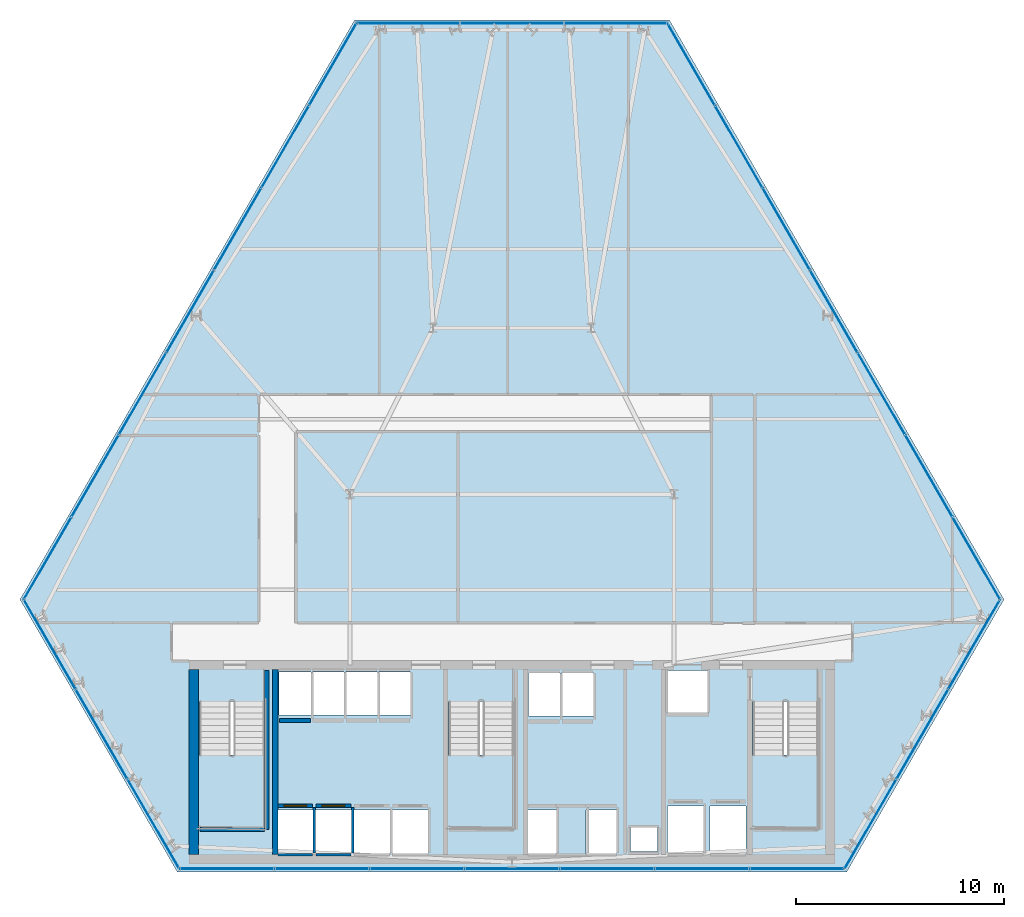
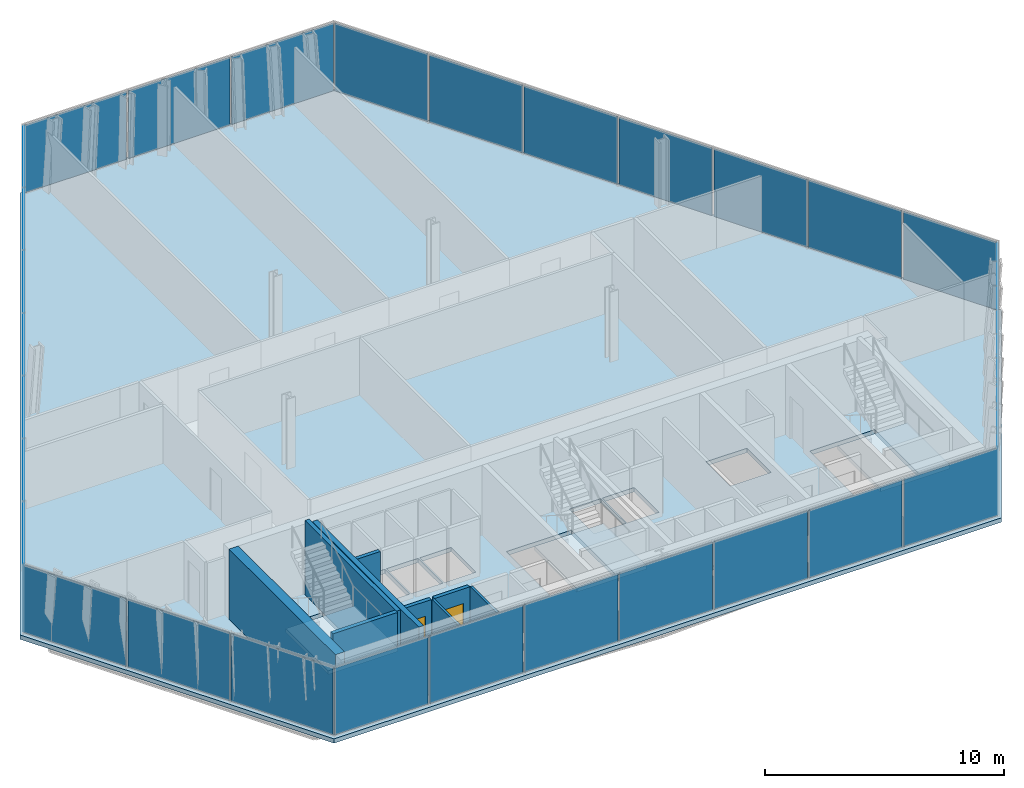
# One storey, part 26 of 32: 30 plates, 11 walls, 4 slabs, 2 doors, 2 openings, 9 elements without a shape of their own.
"""IFC4 building model written with IfcOpenShell, lengths in metres."""

from ifc_helpers import new_model, si_unit, direction, frame, frame_2d, origin, origin_2d, place, context, subcontext, project, spatial, polyline, rectangle, outline, extrude, material, layer, layer_set, type_object, element, fill, aggregate, save


model = new_model("IFC4")

# Units and contexts
model_context = context("Model", 3, precision=1e-05, world=origin(), true_north=direction((0.0, 1.0)))
body_context = subcontext(model_context, "Body", "Model", "MODEL_VIEW")
ifc_project = project(units=[si_unit("LENGTHUNIT", "METRE"), si_unit("AREAUNIT", "SQUARE_METRE"), si_unit("VOLUMEUNIT", "CUBIC_METRE"), si_unit("PLANEANGLEUNIT", "RADIAN"), si_unit("MASSUNIT", "GRAM", prefix="KILO")], contexts=[model_context])

# Site, building, storey
site_placement = place(None, origin())
site = spatial("IfcSite", under=ifc_project, at=site_placement, CompositionType="ELEMENT")
building_placement = place(site_placement, origin())
building = spatial("IfcBuilding", under=site, at=building_placement, Name="Ndaravel Arena Tower", CompositionType="ELEMENT")
storey_placement = place(building_placement, frame((0.0, 0.0, 77.800048828125)))
storey = spatial("IfcBuildingStorey", under=building, at=storey_placement, Name="L17", CompositionType="ELEMENT", Elevation=77.800048828125)

# Curtain wall, plate
ifc_material_1 = material(Name="Aluminium", Category="aluminium")
ifc_layer_1 = layer(ifc_material_1, 0.179931640625)
ifc_layer_set_1 = layer_set([ifc_layer_1], Name="Aluminium")
curtain_wall_type_1 = type_object("IfcCurtainWallType", Name="CW-SYS-01", PredefinedType="NOTDEFINED", material=ifc_layer_set_1)
curtain_wall_1_placement = place(storey_placement, origin())
curtain_wall_1 = element("IfcCurtainWall", 1, at=curtain_wall_1_placement, inside=storey, type_object=curtain_wall_type_1, Name="L17 Faceted Crystal Curtain Wall CW-L17-E02", PredefinedType="NOTDEFINED")
ifc_material_2 = material(Name="Glazing", Category="glass")
ifc_layer_2 = layer(ifc_material_2, 0.035888671875)
ifc_layer_set_2 = layer_set([ifc_layer_2], Name="Glazing")
plate_type_1 = type_object("IfcPlateType", Name="PLT-CW-OPVENT", PredefinedType="CURTAIN_PANEL", material=ifc_layer_set_2)
plate_1_placement = place(storey_placement, frame((61.758056640625, 11.6435546875, 0.06005859375), z_axis=(0.0, 0.0, 1.0), x_axis=(0.5, 0.866025403784, 0.0)))
plate_1 = element("IfcPlate", 2, at=plate_1_placement, type_object=plate_type_1, Name="CW-L17-E02 Operable Vent Sash Panel 02", PredefinedType="CURTAIN_PANEL", context=body_context, shape_type="SweptSolid", body=[
    extrude(rectangle(XDim=4.910888671875, YDim=0.035888671875, at=origin_2d()), origin(), (0.0, 0.0, 1.0), 3.4599609375),
])

curtain_wall_2_placement = place(storey_placement, origin())
curtain_wall_2 = element("IfcCurtainWall", 3, at=curtain_wall_2_placement, inside=storey, type_object=curtain_wall_type_1, Name="L17 Faceted Crystal Curtain Wall CW-L17-E04", PredefinedType="NOTDEFINED")
plate_2_placement = place(storey_placement, frame((42.0, 45.865478515625, 0.06005859375), z_axis=(0.0, 0.0, 1.0), x_axis=(-1.0, 0.0, 0.0)))
plate_2 = element("IfcPlate", 4, at=plate_2_placement, type_object=plate_type_1, Name="CW-L17-E04 Operable Vent Sash Panel 02", PredefinedType="CURTAIN_PANEL", context=body_context, shape_type="SweptSolid", body=[
    extrude(rectangle(XDim=4.9111328125, YDim=0.035888671875, at=origin_2d()), origin(), (0.0, 0.0, 1.0), 3.4599609375),
])

ifc_material_3 = material(Name="Aluminium", Category="aluminium")
ifc_layer_3 = layer(ifc_material_3, 0.179931640625)
ifc_layer_set_3 = layer_set([ifc_layer_3], Name="Aluminium")
curtain_wall_type_2 = type_object("IfcCurtainWallType", Name="CW-SYS-02", PredefinedType="NOTDEFINED", material=ifc_layer_set_3)
curtain_wall_3_placement = place(storey_placement, origin())
curtain_wall_3 = element("IfcCurtainWall", 5, at=curtain_wall_3_placement, inside=storey, type_object=curtain_wall_type_2, Name="L17 Faceted Crystal Curtain Wall CW-L17-E06", PredefinedType="NOTDEFINED")
plate_3_placement = place(storey_placement, frame((22.241943359375, 11.6435546875, 0.06005859375), z_axis=(0.0, 0.0, 1.0), x_axis=(0.5, -0.866025403784, 0.0)))
plate_3 = element("IfcPlate", 6, at=plate_3_placement, type_object=plate_type_1, Name="CW-L17-E06 Operable Vent Sash Panel 02", PredefinedType="CURTAIN_PANEL", context=body_context, shape_type="SweptSolid", body=[
    extrude(rectangle(XDim=4.910888671875, YDim=0.035888671875, at=origin_2d()), origin(), (0.0, 0.0, 1.0), 3.4599609375),
])

# Plate
ifc_material_4 = material(Name="Glazing", Category="glass")
ifc_layer_4 = layer(ifc_material_4, 0.031982421875)
ifc_layer_set_4 = layer_set([ifc_layer_4], Name="Glazing")
plate_type_2 = type_object("IfcPlateType", Name="PLT-GLZ-FRIT35", PredefinedType="CURTAIN_PANEL", material=ifc_layer_set_4)
plate_4_placement = place(storey_placement, frame((59.2626953125, 7.3212890625, 0.06005859375), z_axis=(0.0, 0.0, 1.0), x_axis=(0.5, 0.866025403784, 0.0)))
plate_4 = element("IfcPlate", 7, at=plate_4_placement, type_object=plate_type_2, Name="CW-L17-E02 Vision Glass Panel 01", PredefinedType="CURTAIN_PANEL", context=body_context, shape_type="SweptSolid", body=[
    extrude(rectangle(XDim=4.910888671875, YDim=0.035888671875, at=origin_2d()), origin(), (0.0, 0.0, 1.0), 3.4599609375),
])

plate_5_placement = place(storey_placement, frame((64.253662109375, 15.9658203125, 0.06005859375), z_axis=(0.0, 0.0, 1.0), x_axis=(0.5, 0.866025403784, 0.0)))
plate_5 = element("IfcPlate", 8, at=plate_5_placement, type_object=plate_type_2, Name="CW-L17-E02 Vision Glass Panel 03", PredefinedType="CURTAIN_PANEL", context=body_context, shape_type="SweptSolid", body=[
    extrude(rectangle(XDim=4.910888671875, YDim=0.035888671875, at=origin_2d()), origin(), (0.0, 0.0, 1.0), 3.4599609375),
])

aggregate(curtain_wall_1, [plate_4, plate_1, plate_5])

plate_6_placement = place(storey_placement, frame((46.9912109375, 45.865478515625, 0.06005859375), z_axis=(0.0, 0.0, 1.0), x_axis=(-1.0, 0.0, 0.0)))
plate_6 = element("IfcPlate", 9, at=plate_6_placement, type_object=plate_type_2, Name="CW-L17-E04 Vision Glass Panel 01", PredefinedType="CURTAIN_PANEL", context=body_context, shape_type="SweptSolid", body=[
    extrude(rectangle(XDim=4.9111328125, YDim=0.035888671875, at=origin_2d()), origin(), (0.0, 0.0, 1.0), 3.4599609375),
])

plate_7_placement = place(storey_placement, frame((37.0087890625, 45.865478515625, 0.06005859375), z_axis=(0.0, 0.0, 1.0), x_axis=(-1.0, 0.0, 0.0)))
plate_7 = element("IfcPlate", 10, at=plate_7_placement, type_object=plate_type_2, Name="CW-L17-E04 Vision Glass Panel 03", PredefinedType="CURTAIN_PANEL", context=body_context, shape_type="SweptSolid", body=[
    extrude(rectangle(XDim=4.9111328125, YDim=0.035888671875, at=origin_2d()), origin(), (0.0, 0.0, 1.0), 3.4599609375),
])

aggregate(curtain_wall_2, [plate_6, plate_2, plate_7])

ifc_material_5 = material(Name="Glazing", Category="glass")
ifc_layer_5 = layer(ifc_material_5, 0.035888671875)
ifc_layer_set_5 = layer_set([ifc_layer_5], Name="Glazing")
plate_type_3 = type_object("IfcPlateType", Name="PLT-GLZ-FRIT55", PredefinedType="CURTAIN_PANEL", material=ifc_layer_set_5)
plate_8_placement = place(storey_placement, frame((19.746337890625, 15.9658203125, 0.06005859375), z_axis=(0.0, 0.0, 1.0), x_axis=(0.5, -0.866025403784, 0.0)))
plate_8 = element("IfcPlate", 11, at=plate_8_placement, type_object=plate_type_3, Name="CW-L17-E06 Vision Glass Panel 01", PredefinedType="CURTAIN_PANEL", context=body_context, shape_type="SweptSolid", body=[
    extrude(rectangle(XDim=4.910888671875, YDim=0.035888671875, at=origin_2d()), origin(), (0.0, 0.0, 1.0), 3.4599609375),
])

plate_9_placement = place(storey_placement, frame((24.7373046875, 7.3212890625, 0.06005859375), z_axis=(0.0, 0.0, 1.0), x_axis=(0.5, -0.866025403784, 0.0)))
plate_9 = element("IfcPlate", 12, at=plate_9_placement, type_object=plate_type_3, Name="CW-L17-E06 Vision Glass Panel 03", PredefinedType="CURTAIN_PANEL", context=body_context, shape_type="SweptSolid", body=[
    extrude(rectangle(XDim=4.910888671875, YDim=0.035888671875, at=origin_2d()), origin(), (0.0, 0.0, 1.0), 3.4599609375),
])

aggregate(curtain_wall_3, [plate_8, plate_3, plate_9])

# Curtain wall, plates
ifc_material_6 = material(Name="Aluminium", Category="aluminium")
ifc_layer_6 = layer(ifc_material_6, 0.179931640625)
ifc_layer_set_6 = layer_set([ifc_layer_6], Name="Aluminium")
curtain_wall_type_3 = type_object("IfcCurtainWallType", Name="CW-SYS-03", PredefinedType="NOTDEFINED", material=ifc_layer_set_6)
curtain_wall_4_placement = place(storey_placement, origin())
curtain_wall_4 = element("IfcCurtainWall", 13, at=curtain_wall_4_placement, inside=storey, type_object=curtain_wall_type_3, Name="L17 Faceted Crystal Curtain Wall CW-L17-E01", PredefinedType="NOTDEFINED")
ifc_material_7 = material(Name="Glazing", Category="glass")
ifc_layer_7 = layer(ifc_material_7, 0.0400390625)
ifc_layer_set_7 = layer_set([ifc_layer_7], Name="Glazing")
plate_type_4 = type_object("IfcPlateType", Name="PLT-GLZ-LOWIRON", PredefinedType="CURTAIN_PANEL", material=ifc_layer_set_7)
plate_10_placement = place(storey_placement, frame((28.27294921875, 5.159912109375, 0.06005859375), z_axis=(0.0, 0.0, 1.0), x_axis=(1.0, 0.0, 0.0)))
plate_10 = element("IfcPlate", 14, at=plate_10_placement, type_object=plate_type_4, Name="CW-L17-E01 Vision Glass Panel 01", PredefinedType="CURTAIN_PANEL", context=body_context, shape_type="SweptSolid", body=[
    extrude(rectangle(XDim=4.49560546875, YDim=0.035888671875, at=origin_2d()), origin(), (0.0, 0.0, 1.0), 3.4599609375),
])
plate_11_placement = place(storey_placement, frame((32.8486328125, 5.159912109375, 0.06005859375), z_axis=(0.0, 0.0, 1.0), x_axis=(1.0, 0.0, 0.0)))
plate_11 = element("IfcPlate", 15, at=plate_11_placement, type_object=plate_type_4, Name="CW-L17-E01 Vision Glass Panel 02", PredefinedType="CURTAIN_PANEL", context=body_context, shape_type="SweptSolid", body=[
    extrude(rectangle(XDim=4.49560546875, YDim=0.035888671875, at=origin_2d()), origin(), (0.0, 0.0, 1.0), 3.4599609375),
])
plate_12_placement = place(storey_placement, frame((37.42431640625, 5.159912109375, 0.06005859375), z_axis=(0.0, 0.0, 1.0), x_axis=(1.0, 0.0, 0.0)))
plate_12 = element("IfcPlate", 16, at=plate_12_placement, type_object=plate_type_4, Name="CW-L17-E01 Vision Glass Panel 03", PredefinedType="CURTAIN_PANEL", context=body_context, shape_type="SweptSolid", body=[
    extrude(rectangle(XDim=4.49560546875, YDim=0.035888671875, at=origin_2d()), origin(), (0.0, 0.0, 1.0), 3.4599609375),
])
plate_13_placement = place(storey_placement, frame((42.0, 5.159912109375, 0.06005859375), z_axis=(0.0, 0.0, 1.0), x_axis=(1.0, 0.0, 0.0)))
plate_13 = element("IfcPlate", 17, at=plate_13_placement, type_object=plate_type_4, Name="CW-L17-E01 Vision Glass Panel 04", PredefinedType="CURTAIN_PANEL", context=body_context, shape_type="SweptSolid", body=[
    extrude(rectangle(XDim=4.49560546875, YDim=0.035888671875, at=origin_2d()), origin(), (0.0, 0.0, 1.0), 3.4599609375),
])
plate_14_placement = place(storey_placement, frame((46.57568359375, 5.159912109375, 0.06005859375), z_axis=(0.0, 0.0, 1.0), x_axis=(1.0, 0.0, 0.0)))
plate_14 = element("IfcPlate", 18, at=plate_14_placement, type_object=plate_type_4, Name="CW-L17-E01 Vision Glass Panel 05", PredefinedType="CURTAIN_PANEL", context=body_context, shape_type="SweptSolid", body=[
    extrude(rectangle(XDim=4.49560546875, YDim=0.035888671875, at=origin_2d()), origin(), (0.0, 0.0, 1.0), 3.4599609375),
])
plate_15_placement = place(storey_placement, frame((51.1513671875, 5.159912109375, 0.06005859375), z_axis=(0.0, 0.0, 1.0), x_axis=(1.0, 0.0, 0.0)))
plate_15 = element("IfcPlate", 19, at=plate_15_placement, type_object=plate_type_4, Name="CW-L17-E01 Vision Glass Panel 06", PredefinedType="CURTAIN_PANEL", context=body_context, shape_type="SweptSolid", body=[
    extrude(rectangle(XDim=4.49560546875, YDim=0.035888671875, at=origin_2d()), origin(), (0.0, 0.0, 1.0), 3.4599609375),
])
plate_16_placement = place(storey_placement, frame((55.72705078125, 5.159912109375, 0.06005859375), z_axis=(0.0, 0.0, 1.0), x_axis=(1.0, 0.0, 0.0)))
plate_16 = element("IfcPlate", 20, at=plate_16_placement, type_object=plate_type_4, Name="CW-L17-E01 Vision Glass Panel 07", PredefinedType="CURTAIN_PANEL", context=body_context, shape_type="SweptSolid", body=[
    extrude(rectangle(XDim=4.49560546875, YDim=0.035888671875, at=origin_2d()), origin(), (0.0, 0.0, 1.0), 3.4599609375),
])
aggregate(curtain_wall_4, [plate_10, plate_11, plate_12, plate_13, plate_14, plate_15, plate_16])

curtain_wall_5_placement = place(storey_placement, origin())
curtain_wall_5 = element("IfcCurtainWall", 21, at=curtain_wall_5_placement, inside=storey, type_object=curtain_wall_type_3, Name="L17 Faceted Crystal Curtain Wall CW-L17-E03", PredefinedType="NOTDEFINED")
plate_17_placement = place(storey_placement, frame((64.357421875, 20.1083984375, 0.06005859375), z_axis=(0.0, 0.0, 1.0), x_axis=(-0.5, 0.866025403784, 0.0)))
plate_17 = element("IfcPlate", 22, at=plate_17_placement, type_object=plate_type_4, Name="CW-L17-E03 Vision Glass Panel 01", PredefinedType="CURTAIN_PANEL", context=body_context, shape_type="SweptSolid", body=[
    extrude(rectangle(XDim=4.49560546875, YDim=0.035888671875, at=origin_2d()), origin(), (0.0, 0.0, 1.0), 3.4599609375),
])
plate_18_placement = place(storey_placement, frame((62.069580078125, 24.071044921875, 0.06005859375), z_axis=(0.0, 0.0, 1.0), x_axis=(-0.5, 0.866025403784, 0.0)))
plate_18 = element("IfcPlate", 23, at=plate_18_placement, type_object=plate_type_4, Name="CW-L17-E03 Vision Glass Panel 02", PredefinedType="CURTAIN_PANEL", context=body_context, shape_type="SweptSolid", body=[
    extrude(rectangle(XDim=4.49560546875, YDim=0.035888671875, at=origin_2d()), origin(), (0.0, 0.0, 1.0), 3.4599609375),
])
plate_19_placement = place(storey_placement, frame((59.78173828125, 28.03369140625, 0.06005859375), z_axis=(0.0, 0.0, 1.0), x_axis=(-0.5, 0.866025403784, 0.0)))
plate_19 = element("IfcPlate", 24, at=plate_19_placement, type_object=plate_type_4, Name="CW-L17-E03 Vision Glass Panel 03", PredefinedType="CURTAIN_PANEL", context=body_context, shape_type="SweptSolid", body=[
    extrude(rectangle(XDim=4.49560546875, YDim=0.035888671875, at=origin_2d()), origin(), (0.0, 0.0, 1.0), 3.4599609375),
])
plate_20_placement = place(storey_placement, frame((57.493896484375, 31.996337890625, 0.06005859375), z_axis=(0.0, 0.0, 1.0), x_axis=(-0.5, 0.866025403784, 0.0)))
plate_20 = element("IfcPlate", 25, at=plate_20_placement, type_object=plate_type_4, Name="CW-L17-E03 Vision Glass Panel 04", PredefinedType="CURTAIN_PANEL", context=body_context, shape_type="SweptSolid", body=[
    extrude(rectangle(XDim=4.49560546875, YDim=0.035888671875, at=origin_2d()), origin(), (0.0, 0.0, 1.0), 3.4599609375),
])
plate_21_placement = place(storey_placement, frame((55.206298828125, 35.958984375, 0.06005859375), z_axis=(0.0, 0.0, 1.0), x_axis=(-0.5, 0.866025403784, 0.0)))
plate_21 = element("IfcPlate", 26, at=plate_21_placement, type_object=plate_type_4, Name="CW-L17-E03 Vision Glass Panel 05", PredefinedType="CURTAIN_PANEL", context=body_context, shape_type="SweptSolid", body=[
    extrude(rectangle(XDim=4.49560546875, YDim=0.035888671875, at=origin_2d()), origin(), (0.0, 0.0, 1.0), 3.4599609375),
])
plate_22_placement = place(storey_placement, frame((52.918212890625, 39.921630859375, 0.06005859375), z_axis=(0.0, 0.0, 1.0), x_axis=(-0.5, 0.866025403784, 0.0)))
plate_22 = element("IfcPlate", 27, at=plate_22_placement, type_object=plate_type_4, Name="CW-L17-E03 Vision Glass Panel 06", PredefinedType="CURTAIN_PANEL", context=body_context, shape_type="SweptSolid", body=[
    extrude(rectangle(XDim=4.49560546875, YDim=0.035888671875, at=origin_2d()), origin(), (0.0, 0.0, 1.0), 3.4599609375),
])
plate_23_placement = place(storey_placement, frame((50.630615234375, 43.88427734375, 0.06005859375), z_axis=(0.0, 0.0, 1.0), x_axis=(-0.5, 0.866025403784, 0.0)))
plate_23 = element("IfcPlate", 28, at=plate_23_placement, type_object=plate_type_4, Name="CW-L17-E03 Vision Glass Panel 07", PredefinedType="CURTAIN_PANEL", context=body_context, shape_type="SweptSolid", body=[
    extrude(rectangle(XDim=4.49560546875, YDim=0.035888671875, at=origin_2d()), origin(), (0.0, 0.0, 1.0), 3.4599609375),
])
aggregate(curtain_wall_5, [plate_17, plate_18, plate_19, plate_20, plate_21, plate_22, plate_23])

curtain_wall_6_placement = place(storey_placement, origin())
curtain_wall_6 = element("IfcCurtainWall", 29, at=curtain_wall_6_placement, inside=storey, type_object=curtain_wall_type_3, Name="L17 Faceted Crystal Curtain Wall CW-L17-E05", PredefinedType="NOTDEFINED")
plate_24_placement = place(storey_placement, frame((33.369384765625, 43.88427734375, 0.06005859375), z_axis=(0.0, 0.0, 1.0), x_axis=(-0.5, -0.866025403784, 0.0)))
plate_24 = element("IfcPlate", 30, at=plate_24_placement, type_object=plate_type_4, Name="CW-L17-E05 Vision Glass Panel 01", PredefinedType="CURTAIN_PANEL", context=body_context, shape_type="SweptSolid", body=[
    extrude(rectangle(XDim=4.49560546875, YDim=0.035888671875, at=origin_2d()), origin(), (0.0, 0.0, 1.0), 3.4599609375),
])
plate_25_placement = place(storey_placement, frame((31.081787109375, 39.921630859375, 0.06005859375), z_axis=(0.0, 0.0, 1.0), x_axis=(-0.5, -0.866025403784, 0.0)))
plate_25 = element("IfcPlate", 31, at=plate_25_placement, type_object=plate_type_4, Name="CW-L17-E05 Vision Glass Panel 02", PredefinedType="CURTAIN_PANEL", context=body_context, shape_type="SweptSolid", body=[
    extrude(rectangle(XDim=4.49560546875, YDim=0.035888671875, at=origin_2d()), origin(), (0.0, 0.0, 1.0), 3.4599609375),
])
plate_26_placement = place(storey_placement, frame((28.793701171875, 35.958984375, 0.06005859375), z_axis=(0.0, 0.0, 1.0), x_axis=(-0.5, -0.866025403784, 0.0)))
plate_26 = element("IfcPlate", 32, at=plate_26_placement, type_object=plate_type_4, Name="CW-L17-E05 Vision Glass Panel 03", PredefinedType="CURTAIN_PANEL", context=body_context, shape_type="SweptSolid", body=[
    extrude(rectangle(XDim=4.49560546875, YDim=0.035888671875, at=origin_2d()), origin(), (0.0, 0.0, 1.0), 3.4599609375),
])
plate_27_placement = place(storey_placement, frame((26.506103515625, 31.996337890625, 0.06005859375), z_axis=(0.0, 0.0, 1.0), x_axis=(-0.5, -0.866025403784, 0.0)))
plate_27 = element("IfcPlate", 33, at=plate_27_placement, type_object=plate_type_4, Name="CW-L17-E05 Vision Glass Panel 04", PredefinedType="CURTAIN_PANEL", context=body_context, shape_type="SweptSolid", body=[
    extrude(rectangle(XDim=4.49560546875, YDim=0.035888671875, at=origin_2d()), origin(), (0.0, 0.0, 1.0), 3.4599609375),
])
plate_28_placement = place(storey_placement, frame((24.21826171875, 28.03369140625, 0.06005859375), z_axis=(0.0, 0.0, 1.0), x_axis=(-0.5, -0.866025403784, 0.0)))
plate_28 = element("IfcPlate", 34, at=plate_28_placement, type_object=plate_type_4, Name="CW-L17-E05 Vision Glass Panel 05", PredefinedType="CURTAIN_PANEL", context=body_context, shape_type="SweptSolid", body=[
    extrude(rectangle(XDim=4.49560546875, YDim=0.035888671875, at=origin_2d()), origin(), (0.0, 0.0, 1.0), 3.4599609375),
])
plate_29_placement = place(storey_placement, frame((21.930419921875, 24.071044921875, 0.06005859375), z_axis=(0.0, 0.0, 1.0), x_axis=(-0.5, -0.866025403784, 0.0)))
plate_29 = element("IfcPlate", 35, at=plate_29_placement, type_object=plate_type_4, Name="CW-L17-E05 Vision Glass Panel 06", PredefinedType="CURTAIN_PANEL", context=body_context, shape_type="SweptSolid", body=[
    extrude(rectangle(XDim=4.49560546875, YDim=0.035888671875, at=origin_2d()), origin(), (0.0, 0.0, 1.0), 3.4599609375),
])
plate_30_placement = place(storey_placement, frame((19.642578125, 20.1083984375, 0.06005859375), z_axis=(0.0, 0.0, 1.0), x_axis=(-0.5, -0.866025403784, 0.0)))
plate_30 = element("IfcPlate", 36, at=plate_30_placement, type_object=plate_type_4, Name="CW-L17-E05 Vision Glass Panel 07", PredefinedType="CURTAIN_PANEL", context=body_context, shape_type="SweptSolid", body=[
    extrude(rectangle(XDim=4.49560546875, YDim=0.035888671875, at=origin_2d()), origin(), (0.0, 0.0, 1.0), 3.4599609375),
])
aggregate(curtain_wall_6, [plate_24, plate_25, plate_26, plate_27, plate_28, plate_29, plate_30])

# Stair, slab
ifc_material_8 = material(Name="Concrete C40/50", Category="concrete")
stair_type = type_object("IfcStairType", Name="STAIR-CORE-HT", PredefinedType="HALF_TURN_STAIR", material=ifc_material_8)
stair_1_placement = place(storey_placement, origin())
stair_1 = element("IfcStair", 37, at=stair_1_placement, inside=storey, type_object=stair_type, Name="L17 ST-1", PredefinedType="HALF_TURN_STAIR")
ifc_material_9 = material(Name="Concrete C40/50", Category="concrete")
ifc_layer_8 = layer(ifc_material_9, 0.199951171875)
ifc_layer_set_8 = layer_set([ifc_layer_8], Name="Concrete C40/50")
slab_type_1 = type_object("IfcSlabType", Name="SLAB-STAIR-LANDING", PredefinedType="LANDING", material=ifc_layer_set_8)
slab_1_placement = place(storey_placement, frame((0.0, 0.0, 1.699951171875)))
slab_1 = element("IfcSlab", 38, at=slab_1_placement, type_object=slab_type_1, Name="ST-1 landing 1", PredefinedType="LANDING", context=body_context, shape_type="SweptSolid", body=[
    extrude(outline(polyline([(26.81005859375, 10.6298828125), (26.81005859375, 7.070068359375), (30.169921875, 7.070068359375), (30.169921875, 10.6298828125), (26.81005859375, 10.6298828125)])), origin(), (0.0, 0.0, 1.0), 0.199951171875),
])
aggregate(stair_1, [slab_1])

stair_2_placement = place(storey_placement, origin())
stair_2 = element("IfcStair", 39, at=stair_2_placement, inside=storey, type_object=stair_type, Name="L17 ST-2", PredefinedType="HALF_TURN_STAIR")
slab_2_placement = place(storey_placement, frame((0.0, 0.0, 1.699951171875)))
slab_2 = element("IfcSlab", 40, at=slab_2_placement, type_object=slab_type_1, Name="ST-2 landing 1", PredefinedType="LANDING", context=body_context, shape_type="SweptSolid", body=[
    extrude(outline(polyline([(38.81005859375, 10.6298828125), (38.81005859375, 7.070068359375), (42.169921875, 7.070068359375), (42.169921875, 10.6298828125), (38.81005859375, 10.6298828125)])), origin(), (0.0, 0.0, 1.0), 0.199951171875),
])
aggregate(stair_2, [slab_2])

stair_3_placement = place(storey_placement, origin())
stair_3 = element("IfcStair", 41, at=stair_3_placement, inside=storey, type_object=stair_type, Name="L17 ST-3", PredefinedType="HALF_TURN_STAIR")
slab_3_placement = place(storey_placement, frame((0.0, 0.0, 1.699951171875)))
slab_3 = element("IfcSlab", 42, at=slab_3_placement, type_object=slab_type_1, Name="ST-3 landing 1", PredefinedType="LANDING", context=body_context, shape_type="SweptSolid", body=[
    extrude(outline(polyline([(53.4599609375, 10.6298828125), (53.4599609375, 7.070068359375), (56.820068359375, 7.070068359375), (56.820068359375, 10.6298828125), (53.4599609375, 10.6298828125)])), origin(), (0.0, 0.0, 1.0), 0.199951171875),
])
aggregate(stair_3, [slab_3])

# Slab
ifc_material_10 = material(Name="Concrete C40/50", Category="concrete")
ifc_layer_9 = layer(ifc_material_10, 0.219970703125)
ifc_layer_set_9 = layer_set([ifc_layer_9], Name="Concrete C40/50")
slab_type_2 = type_object("IfcSlabType", Name="SLAB-TWR-220", PredefinedType="FLOOR", material=ifc_layer_set_9)
slab_4_placement = place(storey_placement, frame((0.0, 0.0, -0.219970703125)))
element("IfcSlab", 43, at=slab_4_placement, inside=storey, type_object=slab_type_2, Name="L17 Structural Floor Slab", PredefinedType="FLOOR", context=body_context, shape_type="SweptSolid", body=[
    extrude(outline(polyline([(18.313720703125, 18.127197265625), (25.892822265625, 5.0), (58.107177734375, 5.0), (65.686279296875, 18.127197265625), (49.5791015625, 46.025634765625), (34.4208984375, 46.025634765625), (18.313720703125, 18.127197265625)]), holes=[polyline([(26.949951171875, 13.215087890625), (26.949951171875, 7.14990234375), (30.090087890625, 7.14990234375), (30.090087890625, 13.215087890625), (26.949951171875, 13.215087890625)]), polyline([(38.949951171875, 13.215087890625), (38.949951171875, 7.14990234375), (42.090087890625, 7.14990234375), (42.090087890625, 13.215087890625), (38.949951171875, 13.215087890625)]), polyline([(53.60009765625, 13.215087890625), (53.60009765625, 7.14990234375), (56.739990234375, 7.14990234375), (56.739990234375, 13.215087890625), (53.60009765625, 13.215087890625)]), polyline([(30.68505859375, 5.909912109375), (32.4150390625, 5.909912109375), (32.4150390625, 7.989990234375), (30.68505859375, 7.989990234375), (30.68505859375, 5.909912109375)]), polyline([(32.534912109375, 5.909912109375), (34.264892578125, 5.909912109375), (34.264892578125, 7.989990234375), (32.534912109375, 7.989990234375), (32.534912109375, 5.909912109375)]), polyline([(34.385009765625, 5.909912109375), (36.114990234375, 5.909912109375), (36.114990234375, 7.989990234375), (34.385009765625, 7.989990234375), (34.385009765625, 5.909912109375)]), polyline([(36.235107421875, 5.909912109375), (37.965087890625, 5.909912109375), (37.965087890625, 7.989990234375), (36.235107421875, 7.989990234375), (36.235107421875, 5.909912109375)]), polyline([(30.784912109375, 12.56005859375), (32.31494140625, 12.56005859375), (32.31494140625, 14.639892578125), (30.784912109375, 14.639892578125), (30.784912109375, 12.56005859375)]), polyline([(32.385009765625, 12.56005859375), (33.9150390625, 12.56005859375), (33.9150390625, 14.639892578125), (32.385009765625, 14.639892578125), (32.385009765625, 12.56005859375)]), polyline([(33.985107421875, 12.56005859375), (35.514892578125, 12.56005859375), (35.514892578125, 14.639892578125), (33.985107421875, 14.639892578125), (33.985107421875, 12.56005859375)]), polyline([(35.5849609375, 12.56005859375), (37.114990234375, 12.56005859375), (37.114990234375, 14.639892578125), (35.5849609375, 14.639892578125), (35.5849609375, 12.56005859375)]), polyline([(42.659912109375, 5.909912109375), (44.139892578125, 5.909912109375), (44.139892578125, 7.989990234375), (42.659912109375, 7.989990234375), (42.659912109375, 5.909912109375)]), polyline([(45.56005859375, 5.909912109375), (47.0400390625, 5.909912109375), (47.0400390625, 7.989990234375), (45.56005859375, 7.989990234375), (45.56005859375, 5.909912109375)]), polyline([(42.784912109375, 12.510009765625), (44.31494140625, 12.510009765625), (44.31494140625, 14.590087890625), (42.784912109375, 14.590087890625), (42.784912109375, 12.510009765625)]), polyline([(44.385009765625, 12.510009765625), (45.9150390625, 12.510009765625), (45.9150390625, 14.590087890625), (44.385009765625, 14.590087890625), (44.385009765625, 12.510009765625)]), polyline([(49.485107421875, 5.909912109375), (51.215087890625, 5.909912109375), (51.215087890625, 8.18994140625), (49.485107421875, 8.18994140625), (49.485107421875, 5.909912109375)]), polyline([(51.534912109375, 5.909912109375), (53.264892578125, 5.909912109375), (53.264892578125, 8.18994140625), (51.534912109375, 8.18994140625), (51.534912109375, 5.909912109375)]), polyline([(49.4599609375, 12.68505859375), (51.43994140625, 12.68505859375), (51.43994140625, 14.715087890625), (49.4599609375, 14.715087890625), (49.4599609375, 12.68505859375)]), polyline([(47.699951171875, 6.0), (49.0, 6.0), (49.0, 7.139892578125), (47.699951171875, 7.139892578125), (47.699951171875, 6.0)])]), origin(), (0.0, 0.0, 1.0), 0.219970703125),
])

# Walls
ifc_material_11 = material(Name="Concrete C60/75", Category="concrete")
ifc_layer_10 = layer(ifc_material_11, 0.25)
ifc_layer_set_10 = layer_set([ifc_layer_10], Name="Concrete C60/75")
wall_type_1 = type_object("IfcWallType", Name="WALL-CORE-250", PredefinedType="SOLIDWALL", material=ifc_layer_set_10)
wall_1_placement = place(storey_placement, frame((30.60009765625, 5.85009765625, 0.0), z_axis=(0.0, 0.0, 1.0), x_axis=(0.0, 1.0, 0.0)))
element("IfcWall", 44, at=wall_1_placement, inside=storey, type_object=wall_type_1, Name="L17 Core Web Shear Wall 1", PredefinedType="SOLIDWALL", context=body_context, shape_type="SweptSolid", body=[
    extrude(rectangle(XDim=8.89990234375, YDim=0.25, at=frame_2d((4.449951171875, 0.0))), origin(), (0.0, 0.0, 1.0), 3.579833984375),
])
ifc_material_12 = material(Name="Concrete C60/75", Category="concrete")
ifc_layer_11 = layer(ifc_material_12, 0.449951171875)
ifc_layer_set_11 = layer_set([ifc_layer_11], Name="Concrete C60/75")
wall_type_2 = type_object("IfcWallType", Name="WALL-CORE-450", PredefinedType="SOLIDWALL", material=ifc_layer_set_11)
wall_2_placement = place(storey_placement, frame((26.675048828125, 5.85009765625, 0.0), z_axis=(0.0, 0.0, 1.0), x_axis=(0.0, 1.0, 0.0)))
element("IfcWall", 45, at=wall_2_placement, inside=storey, type_object=wall_type_2, Name="L17 Core West Shear Wall", PredefinedType="SOLIDWALL", context=body_context, shape_type="SweptSolid", body=[
    extrude(rectangle(XDim=8.89990234375, YDim=0.449951171875, at=frame_2d((4.449951171875, 0.0))), origin(), (0.0, 0.0, 1.0), 3.579833984375),
])
ifc_material_13 = material(Name="Concrete C40/50", Category="concrete")
ifc_layer_12 = layer(ifc_material_13, 0.1201171875)
ifc_layer_set_12 = layer_set([ifc_layer_12], Name="Concrete C40/50")
wall_type_3 = type_object("IfcWallType", Name="WALL-SHAFT-120", PredefinedType="SOLIDWALL", material=ifc_layer_set_12)
wall_3_placement = place(storey_placement, frame((30.72998046875, 5.840087890625, 0.0), z_axis=(0.0, 0.0, 1.0), x_axis=(1.0, 0.0, 0.0)))
element("IfcWall", 46, at=wall_3_placement, inside=storey, type_object=wall_type_3, Name="L17 PL-L1 Shaft Rear Wall", PredefinedType="SOLIDWALL", context=body_context, shape_type="SweptSolid", body=[
    extrude(rectangle(XDim=1.6650390625, YDim=0.1201171875, at=frame_2d((0.83251953125, 0.0))), origin(), (0.0, 0.0, 1.0), 2.949951171875),
])
wall_4_placement = place(storey_placement, frame((32.47509765625, 5.929931640625, 0.0), z_axis=(0.0, 0.0, 1.0), x_axis=(0.0, 1.0, 0.0)))
element("IfcWall", 47, at=wall_4_placement, inside=storey, type_object=wall_type_3, Name="L17 PL-L1 Shaft Side R Wall", PredefinedType="SOLIDWALL", context=body_context, shape_type="SweptSolid", body=[
    extrude(rectangle(XDim=2.18017578125, YDim=0.1201171875, at=frame_2d((1.090087890625, 0.0))), origin(), (0.0, 0.0, 1.0), 2.949951171875),
])
wall_5_placement = place(storey_placement, frame((32.554931640625, 5.840087890625, 0.0), z_axis=(0.0, 0.0, 1.0), x_axis=(1.0, 0.0, 0.0)))
element("IfcWall", 48, at=wall_5_placement, inside=storey, type_object=wall_type_3, Name="L17 PL-L2 Shaft Rear Wall", PredefinedType="SOLIDWALL", context=body_context, shape_type="SweptSolid", body=[
    extrude(rectangle(XDim=1.690185546875, YDim=0.1201171875, at=frame_2d((0.84521484375, 0.0))), origin(), (0.0, 0.0, 1.0), 2.949951171875),
])
wall_6_placement = place(storey_placement, frame((34.324951171875, 5.929931640625, 0.0), z_axis=(0.0, 0.0, 1.0), x_axis=(0.0, 1.0, 0.0)))
element("IfcWall", 49, at=wall_6_placement, inside=storey, type_object=wall_type_3, Name="L17 PL-L2 Shaft Side R Wall", PredefinedType="SOLIDWALL", context=body_context, shape_type="SweptSolid", body=[
    extrude(rectangle(XDim=2.18017578125, YDim=0.1201171875, at=frame_2d((1.090087890625, 0.0))), origin(), (0.0, 0.0, 1.0), 2.949951171875),
])
ifc_material_14 = material(Name="Concrete C40/50", Category="concrete")
ifc_layer_13 = layer(ifc_material_14, 0.199951171875)
ifc_layer_set_13 = layer_set([ifc_layer_13], Name="Concrete C40/50")
wall_type_4 = type_object("IfcWallType", Name="WALL-SHAFT-200", PredefinedType="SOLIDWALL", material=ifc_layer_set_13)
wall_7_placement = place(storey_placement, frame((30.18994140625, 14.699951171875, 0.0), z_axis=(0.0, 0.0, 1.0), x_axis=(0.0, -1.0, 0.0)))
element("IfcWall", 50, at=wall_7_placement, inside=storey, type_object=wall_type_4, Name="L17 ST-1 Structural Shaft Wall Right", PredefinedType="SOLIDWALL", context=body_context, shape_type="SweptSolid", body=[
    extrude(rectangle(XDim=7.64990234375, YDim=0.199951171875, at=frame_2d((3.824951171875, 0.0))), origin(), (0.0, 0.0, 1.0), 3.800048828125),
])
wall_8_placement = place(storey_placement, frame((26.969970703125, 7.050048828125, 0.0), z_axis=(0.0, 0.0, 1.0), x_axis=(1.0, 0.0, 0.0)))
element("IfcWall", 51, at=wall_8_placement, inside=storey, type_object=wall_type_4, Name="L17 ST-1 Structural Shaft Wall Far", PredefinedType="SOLIDWALL", context=body_context, shape_type="SweptSolid", body=[
    extrude(rectangle(XDim=3.114990234375, YDim=0.199951171875, at=frame_2d((1.5576171875, 0.0))), origin(), (0.0, 0.0, 1.0), 3.800048828125),
])

# Wall, opening, door
wall_9_placement = place(storey_placement, frame((30.72998046875, 8.199951171875, 0.0), z_axis=(0.0, 0.0, 1.0), x_axis=(1.0, 0.0, 0.0)))
wall_9 = element("IfcWall", 52, at=wall_9_placement, inside=storey, type_object=wall_type_4, Name="L17 PL-L1 Shaft Landing Wall", PredefinedType="SOLIDWALL", context=body_context, shape_type="SweptSolid", body=[
    extrude(rectangle(XDim=1.6650390625, YDim=0.179931640625, at=frame_2d((0.83251953125, 0.0))), origin(), (0.0, 0.0, 1.0), 2.949951171875),
])
opening_1_placement = place(wall_9_placement, frame((0.282470703125, 0.0, 0.0)))
opening_1 = element("IfcOpeningElement", 53, at=opening_1_placement, cuts=wall_9, Name="Opening LD-01", PredefinedType="OPENING", context=body_context, shape_type="SweptSolid", body=[
    extrude(rectangle(XDim=1.10009765625, YDim=2.199951171875, at=frame_2d((0.550048828125, 1.10009765625))), frame((0.0, 0.08984375, 0.0), z_axis=(0.0, -1.0, 0.0), x_axis=(1.0, 0.0, 0.0)), (0.0, 0.0, 1.0), 0.179931640625),
])
ifc_material_15 = material(Name="Steel S355", Category="steel")
door_type = type_object("IfcDoorType", Name="DT-06-LIFT-1100", OperationType="SLIDING_TO_LEFT", PredefinedType="DOOR", material=ifc_material_15)
door_1_placement = place(opening_1_placement, origin())
door_1 = element("IfcDoor", 54, at=door_1_placement, inside=storey, type_object=door_type, Name="L17 Lift PL-L1 Sliding Landing Door", OperationType="SLIDING_TO_LEFT", OverallHeight=2.199951171875, OverallWidth=1.10009765625, PredefinedType="DOOR", context=body_context, shape_type="SweptSolid", body=[
    extrude(rectangle(XDim=1.10009765625, YDim=2.199951171875, at=frame_2d((0.550048828125, 1.10009765625))), frame((0.0, 0.02490234375, 0.0), z_axis=(0.0, -1.0, 0.0), x_axis=(1.0, 0.0, 0.0)), (0.0, 0.0, 1.0), 0.050048828125),
])
fill(opening_1, door_1)

wall_10_placement = place(storey_placement, frame((32.554931640625, 8.199951171875, 0.0), z_axis=(0.0, 0.0, 1.0), x_axis=(1.0, 0.0, 0.0)))
wall_10 = element("IfcWall", 55, at=wall_10_placement, inside=storey, type_object=wall_type_4, Name="L17 PL-L2 Shaft Landing Wall", PredefinedType="SOLIDWALL", context=body_context, shape_type="SweptSolid", body=[
    extrude(rectangle(XDim=1.690185546875, YDim=0.179931640625, at=frame_2d((0.84521484375, 0.0))), origin(), (0.0, 0.0, 1.0), 2.949951171875),
])
opening_2_placement = place(wall_10_placement, frame((0.294921875, 0.0, 0.0)))
opening_2 = element("IfcOpeningElement", 56, at=opening_2_placement, cuts=wall_10, Name="Opening LD-01", PredefinedType="OPENING", context=body_context, shape_type="SweptSolid", body=[
    extrude(rectangle(XDim=1.10009765625, YDim=2.199951171875, at=frame_2d((0.550048828125, 1.10009765625))), frame((0.0, 0.08984375, 0.0), z_axis=(0.0, -1.0, 0.0), x_axis=(1.0, 0.0, 0.0)), (0.0, 0.0, 1.0), 0.179931640625),
])
door_2_placement = place(opening_2_placement, origin())
door_2 = element("IfcDoor", 57, at=door_2_placement, inside=storey, type_object=door_type, Name="L17 Lift PL-L2 Sliding Landing Door", OperationType="SLIDING_TO_LEFT", OverallHeight=2.199951171875, OverallWidth=1.10009765625, PredefinedType="DOOR", context=body_context, shape_type="SweptSolid", body=[
    extrude(rectangle(XDim=1.10009765625, YDim=2.199951171875, at=frame_2d((0.550048828125, 1.10009765625))), frame((0.0, 0.02490234375, 0.0), z_axis=(0.0, -1.0, 0.0), x_axis=(1.0, 0.0, 0.0)), (0.0, 0.0, 1.0), 0.050048828125),
])
fill(opening_2, door_2)

# Wall
wall_11_placement = place(storey_placement, frame((30.804931640625, 12.300048828125, 0.0), z_axis=(0.0, 0.0, 1.0), x_axis=(1.0, 0.0, 0.0)))
element("IfcWall", 58, at=wall_11_placement, inside=storey, type_object=wall_type_4, Name="L17 PL-M1 Shaft Landing Wall", PredefinedType="SOLIDWALL", context=body_context, shape_type="SweptSolid", body=[
    extrude(rectangle(XDim=1.489990234375, YDim=0.179931640625, at=frame_2d((0.7451171875, 0.0))), origin(), (0.0, 0.0, 1.0), 2.949951171875),
])

save(model, "model.ifc")
